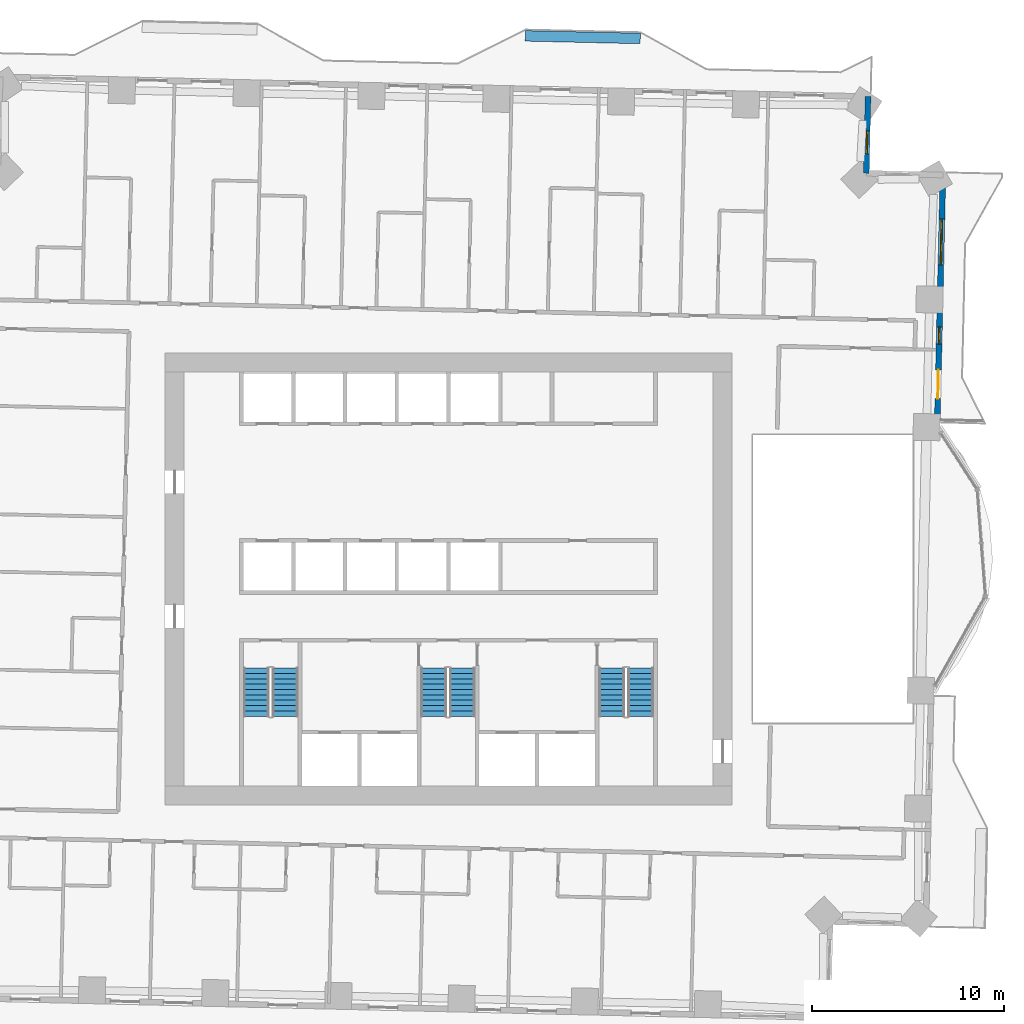
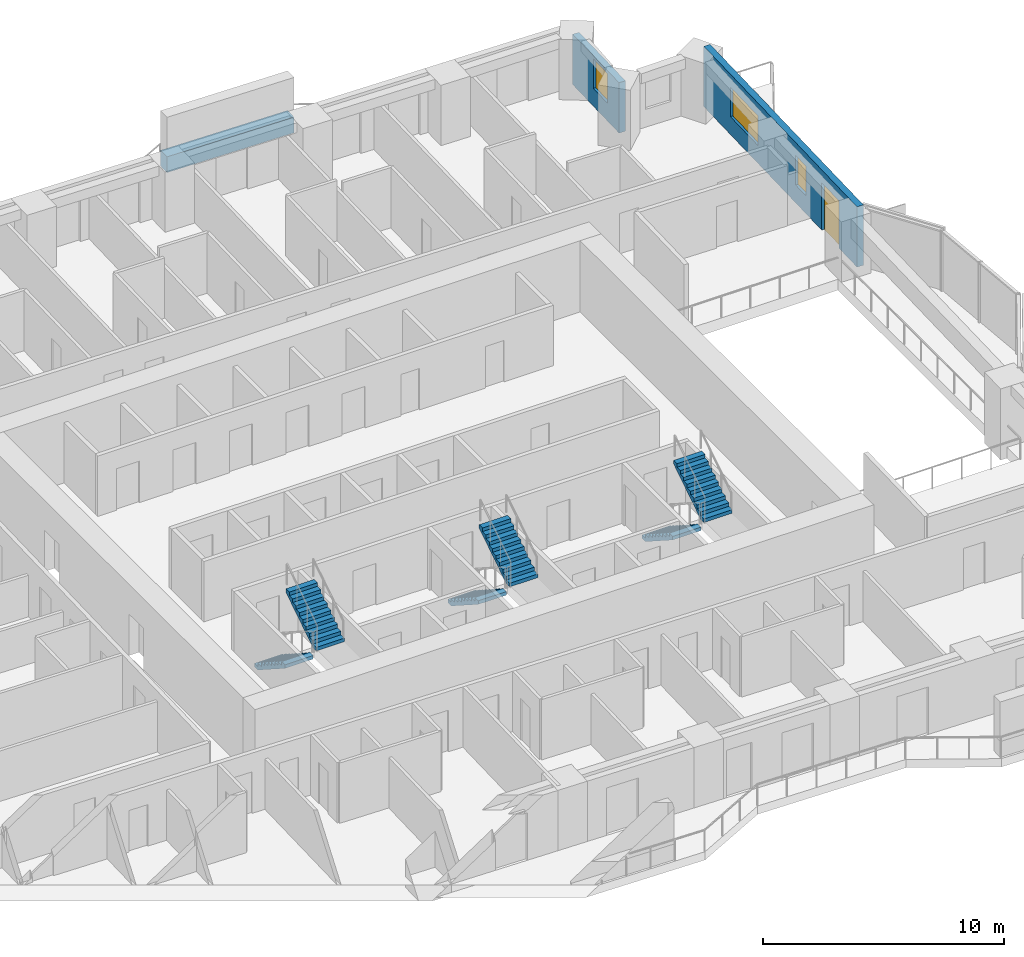
# One storey, part 12 of 16: 6 stair flights, 3 walls, 3 windows, 1 door, 4 openings, 3 elements without a shape of their own.
"""IFC4 building model written with IfcOpenShell, lengths in metres."""

from ifc_helpers import new_model, si_unit, direction, frame, frame_2d, origin, place, context, subcontext, project, spatial, polyline, rectangle, outline, extrude, material, layer, layer_set, type_object, element, fill, aggregate, save


model = new_model("IFC4")

# Units and contexts
model_context = context("Model", 3, precision=1e-05, world=origin(), true_north=direction((0.0, 1.0)))
body_context = subcontext(model_context, "Body", "Model", "MODEL_VIEW")
ifc_project = project(units=[si_unit("LENGTHUNIT", "METRE"), si_unit("AREAUNIT", "SQUARE_METRE"), si_unit("VOLUMEUNIT", "CUBIC_METRE"), si_unit("PLANEANGLEUNIT", "RADIAN"), si_unit("MASSUNIT", "GRAM", prefix="KILO")], contexts=[model_context])

# Site, building, storey
site_placement = place(None, origin())
site = spatial("IfcSite", under=ifc_project, at=site_placement, CompositionType="ELEMENT")
building_placement = place(site_placement, origin())
building = spatial("IfcBuilding", under=site, at=building_placement, Name="Mangrove Gate Tower", CompositionType="ELEMENT")
storey_placement = place(building_placement, frame((0.0, 0.0, 105.5)))
storey = spatial("IfcBuildingStorey", under=building, at=storey_placement, Name="L26", CompositionType="ELEMENT", Elevation=105.5)

# Wall, openings, door, windows
ifc_material_1 = material(Name="Limestone", Category="masonry")
ifc_layer_1 = layer(ifc_material_1, 0.0400390625, Name="Limestone cladding")
ifc_material_2 = material(Name="Ventilated air gap")
ifc_layer_2 = layer(ifc_material_2, 0.0400390625, Name="Ventilated cavity")
ifc_material_3 = material(Name="Mineral wool insulation")
ifc_layer_3 = layer(ifc_material_3, 0.06005859375, Name="Insulation")
ifc_material_4 = material(Name="Breather membrane")
ifc_layer_4 = layer(ifc_material_4, 0.001953125, Name="Breather membrane")
ifc_material_5 = material(Name="Concrete C20/25 blockwork", Category="masonry")
ifc_layer_5 = layer(ifc_material_5, 0.14990234375, Name="Blockwork backing wall")
ifc_material_6 = material(Name="Gypsum plaster")
ifc_layer_6 = layer(ifc_material_6, 0.008056640625, Name="Internal plaster")
ifc_layer_set_1 = layer_set([ifc_layer_1, ifc_layer_2, ifc_layer_3, ifc_layer_4, ifc_layer_5, ifc_layer_6], Name="External wall 300 limestone cladding")
wall_type_1 = type_object("IfcWallType", Name="External wall 300 limestone cladding", PredefinedType="SOLIDWALL", material=ifc_layer_set_1)
wall_1_placement = place(storey_placement, frame((25.501953125, 7.85693359375, 0.0), z_axis=(0.0, 0.0, 1.0), x_axis=(0.022680323815, 0.999742768372, 0.0)))
wall_1 = element("IfcWall", 1, at=wall_1_placement, inside=storey, type_object=wall_type_1, Name="WALL-L26-E2", PredefinedType="SOLIDWALL", context=body_context, shape_type="SweptSolid", body=[
    extrude(rectangle(XDim=13.2294921875, YDim=0.300048828125, at=frame_2d((6.61474609375, 0.0))), origin(), (0.0, 0.0, 1.0), 3.050048828125),
])
opening_1_placement = place(wall_1_placement, frame((1.553955078125, 0.0, 0.0)))
opening_1 = element("IfcOpeningElement", 2, at=opening_1_placement, cuts=wall_1, Name="Opening BD1", PredefinedType="OPENING", context=body_context, shape_type="SweptSolid", body=[
    extrude(rectangle(XDim=1.5, YDim=2.39990234375, at=frame_2d((0.75, 1.199951171875))), frame((0.0, 0.159912109375, 0.0), z_axis=(0.0, -1.0, 0.0), x_axis=(1.0, 0.0, 0.0)), (0.0, 0.0, 1.0), 0.320068359375),
])
opening_2_placement = place(wall_1_placement, frame((4.403076171875, 0.0, 0.89990234375)))
opening_2 = element("IfcOpeningElement", 3, at=opening_2_placement, cuts=wall_1, Name="Opening W5", PredefinedType="OPENING", context=body_context, shape_type="SweptSolid", body=[
    extrude(rectangle(XDim=0.89990234375, YDim=1.5, at=frame_2d((0.449951171875, 0.75))), frame((0.0, 0.159912109375, 0.0), z_axis=(0.0, -1.0, 0.0), x_axis=(1.0, 0.0, 0.0)), (0.0, 0.0, 1.0), 0.320068359375),
])
opening_3_placement = place(wall_1_placement, frame((8.5380859375, 0.0, 0.89990234375)))
opening_3 = element("IfcOpeningElement", 4, at=opening_3_placement, cuts=wall_1, Name="Opening W2", PredefinedType="OPENING", context=body_context, shape_type="SweptSolid", body=[
    extrude(rectangle(XDim=2.39990234375, YDim=1.5, at=frame_2d((1.199951171875, 0.75))), frame((0.0, 0.159912109375, 0.0), z_axis=(0.0, -1.0, 0.0), x_axis=(1.0, 0.0, 0.0)), (0.0, 0.0, 1.0), 0.320068359375),
])
ifc_material_7 = material(Name="Aluminium frame with laminated clear glass", Category="aluminium")
door_type = type_object("IfcDoorType", Name="Balcony sliding door 1500x2400", OperationType="SLIDING_TO_LEFT", PredefinedType="DOOR", material=ifc_material_7)
door_placement = place(opening_1_placement, origin())
door = element("IfcDoor", 5, at=door_placement, inside=storey, type_object=door_type, Name="DOOR-L26-E2-1", OperationType="SLIDING_TO_LEFT", OverallHeight=2.39990234375, OverallWidth=1.5, PredefinedType="DOOR", context=body_context, shape_type="SweptSolid", body=[
    extrude(rectangle(XDim=1.5, YDim=2.39990234375, at=frame_2d((0.75, 1.199951171875))), frame((0.0, 0.02490234375, 0.0), z_axis=(0.0, -1.0, 0.0), x_axis=(1.0, 0.0, 0.0)), (0.0, 0.0, 1.0), 0.050048828125),
])
fill(opening_1, door)
ifc_material_8 = material(Name="Aluminium frame with double-glazed low-e glass", Category="aluminium")
window_type_1 = type_object("IfcWindowType", Name="Corner room window 2400x1500", PartitioningType="DOUBLE_PANEL_VERTICAL", PredefinedType="WINDOW", material=ifc_material_8)
window_1_placement = place(opening_3_placement, origin())
window_1 = element("IfcWindow", 6, at=window_1_placement, inside=storey, type_object=window_type_1, Name="WIN-L26-E2-3", OverallHeight=1.5, OverallWidth=2.39990234375, PartitioningType="DOUBLE_PANEL_VERTICAL", PredefinedType="WINDOW", context=body_context, shape_type="SweptSolid", body=[
    extrude(rectangle(XDim=2.39990234375, YDim=1.5, at=frame_2d((1.199951171875, 0.75))), frame((0.0, 0.030029296875, 0.0), z_axis=(0.0, -1.0, 0.0), x_axis=(1.0, 0.0, 0.0)), (0.0, 0.0, 1.0), 0.06005859375),
])
fill(opening_3, window_1)
ifc_material_9 = material(Name="Aluminium frame with double-glazed low-e glass", Category="aluminium")
window_type_2 = type_object("IfcWindowType", Name="Narrow window 900x1500", PartitioningType="SINGLE_PANEL", PredefinedType="WINDOW", material=ifc_material_9)
window_2_placement = place(opening_2_placement, origin())
window_2 = element("IfcWindow", 7, at=window_2_placement, inside=storey, type_object=window_type_2, Name="WIN-L26-E2-2", OverallHeight=1.5, OverallWidth=0.89990234375, PartitioningType="SINGLE_PANEL", PredefinedType="WINDOW", context=body_context, shape_type="SweptSolid", body=[
    extrude(rectangle(XDim=0.89990234375, YDim=1.5, at=frame_2d((0.449951171875, 0.75))), frame((0.0, 0.030029296875, 0.0), z_axis=(0.0, -1.0, 0.0), x_axis=(1.0, 0.0, 0.0)), (0.0, 0.0, 1.0), 0.06005859375),
])
fill(opening_2, window_2)

# Wall, opening, window
wall_2_placement = place(storey_placement, frame((21.802978515625, 21.174072265625, 0.0), z_axis=(0.0, 0.0, 1.0), x_axis=(0.022765770952, 0.999740826251, 0.0)))
wall_2 = element("IfcWall", 8, at=wall_2_placement, inside=storey, type_object=wall_type_1, Name="WALL-L26-E4", PredefinedType="SOLIDWALL", context=body_context, shape_type="SweptSolid", body=[
    extrude(rectangle(XDim=4.0, YDim=0.300048828125, at=frame_2d((2.0, 0.0))), origin(), (0.0, 0.0, 1.0), 2.550048828125),
])
opening_4_placement = place(wall_2_placement, frame((1.01806640625, 0.0, 0.89990234375)))
opening_4 = element("IfcOpeningElement", 9, at=opening_4_placement, cuts=wall_2, Name="Opening W1", PredefinedType="OPENING", context=body_context, shape_type="SweptSolid", body=[
    extrude(rectangle(XDim=1.199951171875, YDim=1.5, at=frame_2d((0.60009765625, 0.75))), frame((0.0, 0.159912109375, 0.0), z_axis=(0.0, -1.0, 0.0), x_axis=(1.0, 0.0, 0.0)), (0.0, 0.0, 1.0), 0.320068359375),
])
ifc_material_10 = material(Name="Aluminium frame with double-glazed low-e glass", Category="aluminium")
window_type_3 = type_object("IfcWindowType", Name="Side lite 1200x1500", PartitioningType="SINGLE_PANEL", PredefinedType="WINDOW", material=ifc_material_10)
window_3_placement = place(opening_4_placement, origin())
window_3 = element("IfcWindow", 10, at=window_3_placement, inside=storey, type_object=window_type_3, Name="WIN-L26-E4-1", OverallHeight=1.5, OverallWidth=1.199951171875, PartitioningType="SINGLE_PANEL", PredefinedType="WINDOW", context=body_context, shape_type="SweptSolid", body=[
    extrude(rectangle(XDim=1.199951171875, YDim=1.5, at=frame_2d((0.60009765625, 0.75))), frame((0.0, 0.030029296875, 0.0), z_axis=(0.0, -1.0, 0.0), x_axis=(1.0, 0.0, 0.0)), (0.0, 0.0, 1.0), 0.06005859375),
])
fill(opening_4, window_3)

# Wall
ifc_material_11 = material(Name="Concrete C32/40", Category="concrete")
ifc_layer_7 = layer(ifc_material_11, 0.199951171875, Name="Planter trough wall")
ifc_material_12 = material(Name="Bituminous waterproofing membrane")
ifc_layer_8 = layer(ifc_material_12, 0.0048828125, Name="Waterproofing")
ifc_material_13 = material(Name="Drainage board and gravel")
ifc_layer_9 = layer(ifc_material_13, 0.044921875, Name="Drainage layer")
ifc_material_14 = material(Name="Planting soil")
ifc_layer_10 = layer(ifc_material_14, 0.300048828125, Name="Growing medium")
ifc_layer_set_2 = layer_set([ifc_layer_7, ifc_layer_8, ifc_layer_9, ifc_layer_10], Name="Planter wall 550 C32/40")
wall_type_2 = type_object("IfcWallType", Name="Planter wall 550 C32/40", PredefinedType="USERDEFINED", material=ifc_layer_set_2)
wall_3_placement = place(storey_placement, frame((4.007080078125, 28.344970703125, 0.0), z_axis=(0.0, 0.0, 1.0), x_axis=(0.999743178102, -0.022662255828, 0.0)))
element("IfcWall", 11, at=wall_3_placement, inside=storey, type_object=wall_type_2, Name="PLANTER L26 N0.1", ObjectType="PLANTER", PredefinedType="USERDEFINED", context=body_context, shape_type="SweptSolid", body=[
    extrude(rectangle(XDim=6.00048828125, YDim=0.550048828125, at=frame_2d((3.000244140625, 0.0))), origin(), (0.0, 0.0, 1.0), 0.800048828125),
])

# Stair, stair flights
ifc_material_15 = material(Name="Concrete C40/50", Category="concrete")
stair_type = type_object("IfcStairType", Name="Core stair 1350", PredefinedType="HALF_TURN_STAIR", material=ifc_material_15)
stair_1_placement = place(storey_placement, origin())
stair_1 = element("IfcStair", 12, at=stair_1_placement, inside=storey, type_object=stair_type, Name="L26 Stair 1", PredefinedType="HALF_TURN_STAIR")
ifc_material_16 = material(Name="Concrete C40/50", Category="concrete")
stair_flight_type = type_object("IfcStairFlightType", Name="Core stair flight 1350", PredefinedType="STRAIGHT", material=ifc_material_16)
stair_flight_1_placement = place(storey_placement, frame((-10.02490234375, -4.64990234375, 0.0), z_axis=(0.0, 0.0, 1.0), x_axis=(0.0, -1.0, 0.0)))
stair_flight_1 = element("IfcStairFlight", 13, at=stair_flight_1_placement, type_object=stair_flight_type, Name="ST1 flight 1", NumberOfRisers=10, NumberOfTreads=9, PredefinedType="STRAIGHT", RiserHeight=0.18, TreadLength=0.28, context=body_context, shape_type="SweptSolid", body=[
    extrude(outline(polyline([(0.0, 0.0), (0.0, 0.179931640625), (0.280029296875, 0.179931640625), (0.280029296875, 0.360107421875), (0.56005859375, 0.360107421875), (0.56005859375, 0.5400390625), (0.840087890625, 0.5400390625), (0.840087890625, 0.719970703125), (1.1201171875, 0.719970703125), (1.1201171875, 0.89990234375), (1.39990234375, 0.89990234375), (1.39990234375, 1.080078125), (1.679931640625, 1.080078125), (1.679931640625, 1.260009765625), (1.9599609375, 1.260009765625), (1.9599609375, 1.43994140625), (2.239990234375, 1.43994140625), (2.239990234375, 1.6201171875), (2.52001953125, 1.6201171875), (2.52001953125, 1.800048828125), (2.52001953125, 1.44189453125), (0.277099609375, 0.0), (0.0, 0.0)])), frame((0.0, 0.675048828125, 0.0), z_axis=(0.0, -1.0, 0.0), x_axis=(1.0, 0.0, 0.0)), (0.0, 0.0, 1.0), 1.35009765625),
])
stair_flight_2_placement = place(storey_placement, frame((-8.52490234375, -7.169921875, 1.800048828125), z_axis=(0.0, 0.0, 1.0), x_axis=(0.0, 1.0, 0.0)))
stair_flight_2 = element("IfcStairFlight", 14, at=stair_flight_2_placement, type_object=stair_flight_type, Name="ST1 flight 2", NumberOfRisers=10, NumberOfTreads=9, PredefinedType="STRAIGHT", RiserHeight=0.18, TreadLength=0.28, context=body_context, shape_type="SweptSolid", body=[
    extrude(outline(polyline([(0.0, 0.0), (0.0, 0.179931640625), (0.280029296875, 0.179931640625), (0.280029296875, 0.360107421875), (0.56005859375, 0.360107421875), (0.56005859375, 0.5400390625), (0.840087890625, 0.5400390625), (0.840087890625, 0.719970703125), (1.1201171875, 0.719970703125), (1.1201171875, 0.89990234375), (1.39990234375, 0.89990234375), (1.39990234375, 1.080078125), (1.679931640625, 1.080078125), (1.679931640625, 1.260009765625), (1.9599609375, 1.260009765625), (1.9599609375, 1.43994140625), (2.239990234375, 1.43994140625), (2.239990234375, 1.6201171875), (2.52001953125, 1.6201171875), (2.52001953125, 1.800048828125), (2.52001953125, 1.44189453125), (0.277099609375, 0.0), (0.0, 0.0)])), frame((0.0, 0.675048828125, 0.0), z_axis=(0.0, -1.0, 0.0), x_axis=(1.0, 0.0, 0.0)), (0.0, 0.0, 1.0), 1.35009765625),
])
aggregate(stair_1, [stair_flight_1, stair_flight_2])

stair_2_placement = place(storey_placement, origin())
stair_2 = element("IfcStair", 15, at=stair_2_placement, inside=storey, type_object=stair_type, Name="L26 Stair 2", PredefinedType="HALF_TURN_STAIR")
stair_flight_3_placement = place(storey_placement, frame((-0.77490234375, -4.64990234375, 0.0), z_axis=(0.0, 0.0, 1.0), x_axis=(0.0, -1.0, 0.0)))
stair_flight_3 = element("IfcStairFlight", 16, at=stair_flight_3_placement, type_object=stair_flight_type, Name="ST2 flight 1", NumberOfRisers=10, NumberOfTreads=9, PredefinedType="STRAIGHT", RiserHeight=0.18, TreadLength=0.28, context=body_context, shape_type="SweptSolid", body=[
    extrude(outline(polyline([(0.0, 0.0), (0.0, 0.179931640625), (0.280029296875, 0.179931640625), (0.280029296875, 0.360107421875), (0.56005859375, 0.360107421875), (0.56005859375, 0.5400390625), (0.840087890625, 0.5400390625), (0.840087890625, 0.719970703125), (1.1201171875, 0.719970703125), (1.1201171875, 0.89990234375), (1.39990234375, 0.89990234375), (1.39990234375, 1.080078125), (1.679931640625, 1.080078125), (1.679931640625, 1.260009765625), (1.9599609375, 1.260009765625), (1.9599609375, 1.43994140625), (2.239990234375, 1.43994140625), (2.239990234375, 1.6201171875), (2.52001953125, 1.6201171875), (2.52001953125, 1.800048828125), (2.52001953125, 1.44189453125), (0.277099609375, 0.0), (0.0, 0.0)])), frame((0.0, 0.675048828125, 0.0), z_axis=(0.0, -1.0, 0.0), x_axis=(1.0, 0.0, 0.0)), (0.0, 0.0, 1.0), 1.35009765625),
])
stair_flight_4_placement = place(storey_placement, frame((0.72509765625, -7.169921875, 1.800048828125), z_axis=(0.0, 0.0, 1.0), x_axis=(0.0, 1.0, 0.0)))
stair_flight_4 = element("IfcStairFlight", 17, at=stair_flight_4_placement, type_object=stair_flight_type, Name="ST2 flight 2", NumberOfRisers=10, NumberOfTreads=9, PredefinedType="STRAIGHT", RiserHeight=0.18, TreadLength=0.28, context=body_context, shape_type="SweptSolid", body=[
    extrude(outline(polyline([(0.0, 0.0), (0.0, 0.179931640625), (0.280029296875, 0.179931640625), (0.280029296875, 0.360107421875), (0.56005859375, 0.360107421875), (0.56005859375, 0.5400390625), (0.840087890625, 0.5400390625), (0.840087890625, 0.719970703125), (1.1201171875, 0.719970703125), (1.1201171875, 0.89990234375), (1.39990234375, 0.89990234375), (1.39990234375, 1.080078125), (1.679931640625, 1.080078125), (1.679931640625, 1.260009765625), (1.9599609375, 1.260009765625), (1.9599609375, 1.43994140625), (2.239990234375, 1.43994140625), (2.239990234375, 1.6201171875), (2.52001953125, 1.6201171875), (2.52001953125, 1.800048828125), (2.52001953125, 1.44189453125), (0.277099609375, 0.0), (0.0, 0.0)])), frame((0.0, 0.675048828125, 0.0), z_axis=(0.0, -1.0, 0.0), x_axis=(1.0, 0.0, 0.0)), (0.0, 0.0, 1.0), 1.35009765625),
])
aggregate(stair_2, [stair_flight_3, stair_flight_4])

stair_3_placement = place(storey_placement, origin())
stair_3 = element("IfcStair", 18, at=stair_3_placement, inside=storey, type_object=stair_type, Name="L26 Stair 3", PredefinedType="HALF_TURN_STAIR")
stair_flight_5_placement = place(storey_placement, frame((8.52490234375, -4.64990234375, 0.0), z_axis=(0.0, 0.0, 1.0), x_axis=(0.0, -1.0, 0.0)))
stair_flight_5 = element("IfcStairFlight", 19, at=stair_flight_5_placement, type_object=stair_flight_type, Name="ST3 flight 1", NumberOfRisers=10, NumberOfTreads=9, PredefinedType="STRAIGHT", RiserHeight=0.18, TreadLength=0.28, context=body_context, shape_type="SweptSolid", body=[
    extrude(outline(polyline([(0.0, 0.0), (0.0, 0.179931640625), (0.280029296875, 0.179931640625), (0.280029296875, 0.360107421875), (0.56005859375, 0.360107421875), (0.56005859375, 0.5400390625), (0.840087890625, 0.5400390625), (0.840087890625, 0.719970703125), (1.1201171875, 0.719970703125), (1.1201171875, 0.89990234375), (1.39990234375, 0.89990234375), (1.39990234375, 1.080078125), (1.679931640625, 1.080078125), (1.679931640625, 1.260009765625), (1.9599609375, 1.260009765625), (1.9599609375, 1.43994140625), (2.239990234375, 1.43994140625), (2.239990234375, 1.6201171875), (2.52001953125, 1.6201171875), (2.52001953125, 1.800048828125), (2.52001953125, 1.44189453125), (0.277099609375, 0.0), (0.0, 0.0)])), frame((0.0, 0.675048828125, 0.0), z_axis=(0.0, -1.0, 0.0), x_axis=(1.0, 0.0, 0.0)), (0.0, 0.0, 1.0), 1.35009765625),
])
stair_flight_6_placement = place(storey_placement, frame((10.02490234375, -7.169921875, 1.800048828125), z_axis=(0.0, 0.0, 1.0), x_axis=(0.0, 1.0, 0.0)))
stair_flight_6 = element("IfcStairFlight", 20, at=stair_flight_6_placement, type_object=stair_flight_type, Name="ST3 flight 2", NumberOfRisers=10, NumberOfTreads=9, PredefinedType="STRAIGHT", RiserHeight=0.18, TreadLength=0.28, context=body_context, shape_type="SweptSolid", body=[
    extrude(outline(polyline([(0.0, 0.0), (0.0, 0.179931640625), (0.280029296875, 0.179931640625), (0.280029296875, 0.360107421875), (0.56005859375, 0.360107421875), (0.56005859375, 0.5400390625), (0.840087890625, 0.5400390625), (0.840087890625, 0.719970703125), (1.1201171875, 0.719970703125), (1.1201171875, 0.89990234375), (1.39990234375, 0.89990234375), (1.39990234375, 1.080078125), (1.679931640625, 1.080078125), (1.679931640625, 1.260009765625), (1.9599609375, 1.260009765625), (1.9599609375, 1.43994140625), (2.239990234375, 1.43994140625), (2.239990234375, 1.6201171875), (2.52001953125, 1.6201171875), (2.52001953125, 1.800048828125), (2.52001953125, 1.44189453125), (0.277099609375, 0.0), (0.0, 0.0)])), frame((0.0, 0.675048828125, 0.0), z_axis=(0.0, -1.0, 0.0), x_axis=(1.0, 0.0, 0.0)), (0.0, 0.0, 1.0), 1.35009765625),
])
aggregate(stair_3, [stair_flight_5, stair_flight_6])

save(model, "model.ifc")
